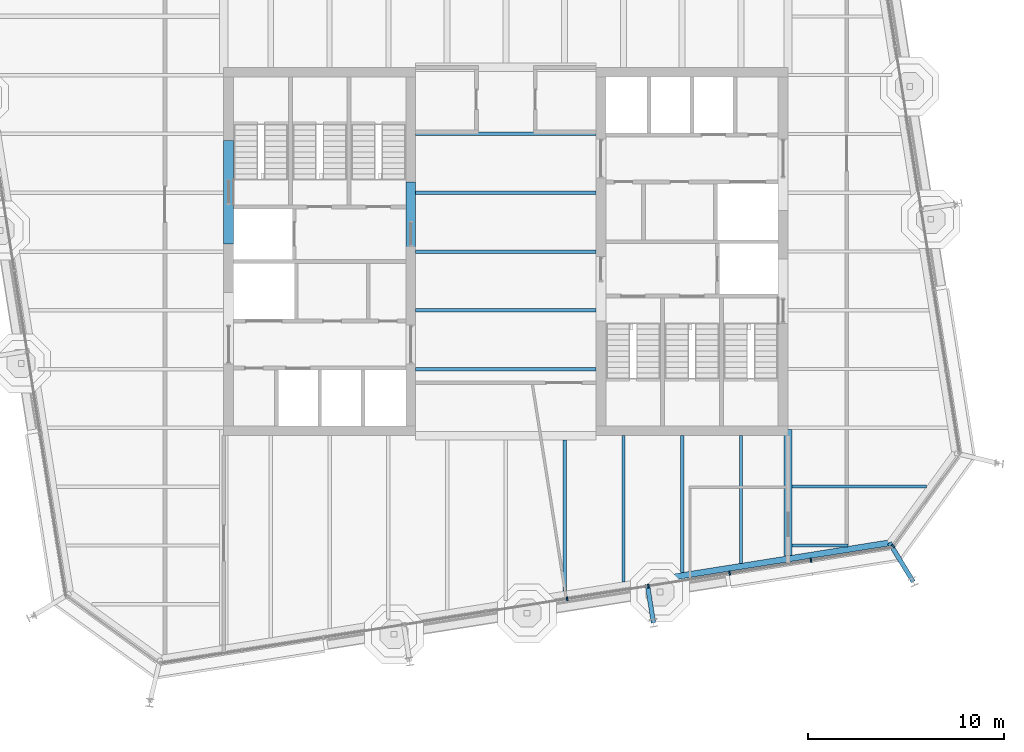
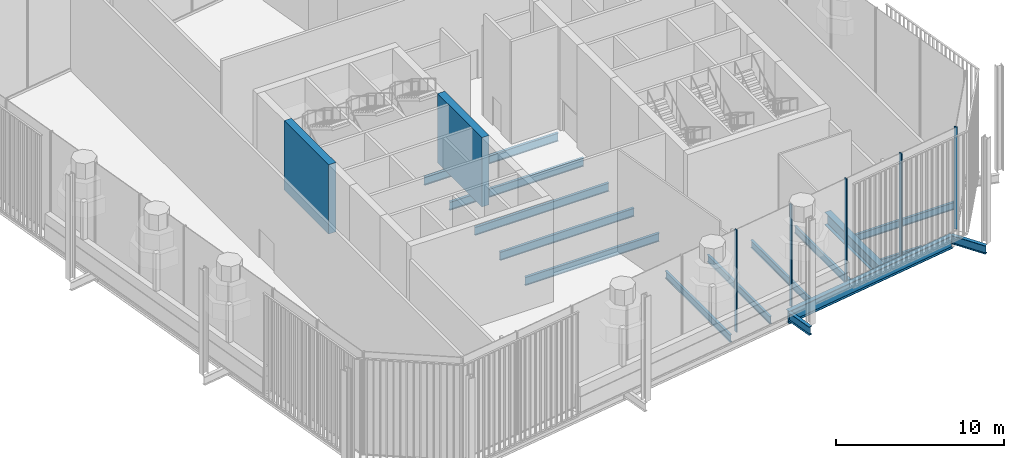
# One storey, part 5 of 17: 17 beams, 5 members, 2 elements without a shape of their own.
"""IFC4 building model written with IfcOpenShell, lengths in metres."""

from ifc_helpers import new_model, si_unit, direction, frame, origin, origin_2d, place, context, subcontext, project, spatial, rectangle, i_section, extrude, material, layer, layer_set, material_profile, profile_set, type_object, element, aggregate, save


model = new_model("IFC4")

# Units and contexts
model_context = context("Model", 3, precision=1e-05, world=origin(), true_north=direction((0.0, 1.0)))
body_context = subcontext(model_context, "Body", "Model", "MODEL_VIEW")
ifc_project = project(units=[si_unit("LENGTHUNIT", "METRE"), si_unit("AREAUNIT", "SQUARE_METRE"), si_unit("VOLUMEUNIT", "CUBIC_METRE"), si_unit("PLANEANGLEUNIT", "RADIAN"), si_unit("MASSUNIT", "GRAM", prefix="KILO")], contexts=[model_context])

# Site, building, storey
site_placement = place(None, origin())
site = spatial("IfcSite", under=ifc_project, at=site_placement, CompositionType="ELEMENT")
building_placement = place(site_placement, origin())
building = spatial("IfcBuilding", under=site, at=building_placement, Name="Millrace Tower", CompositionType="ELEMENT")
storey_placement = place(building_placement, frame((0.0, 0.0, 239.800048828125)))
storey = spatial("IfcBuildingStorey", under=building, at=storey_placement, Name="L55", CompositionType="ELEMENT", Elevation=239.800048828125)

# Curtain wall, members
ifc_material_1 = material(Name="Aluminium and glass", Category="aluminium")
ifc_layer = layer(ifc_material_1, 0.199951171875)
ifc_layer_set = layer_set([ifc_layer], Name="Aluminium and glass")
curtain_wall_type = type_object("IfcCurtainWallType", Name="CW-4 sky garden winter glazing", PredefinedType="NOTDEFINED", material=ifc_layer_set)
placement = place(storey_placement, origin())
curtain_wall_1 = element("IfcCurtainWall", 1, at=placement, inside=storey, type_object=curtain_wall_type, Name="Curtain wall D-F02 L55", PredefinedType="NOTDEFINED")
ifc_material_2 = material(Name="Aluminium", Category="aluminium")
ifc_material_profile_1 = material_profile(ifc_material_2, rectangle(XDim=0.080078125, YDim=0.199951171875, at=origin_2d()))
ifc_profile_set_1 = profile_set([ifc_material_profile_1], Name="Aluminium")
member_type = type_object("IfcMemberType", Name="CW-4 sky garden winter glazing mullion", PredefinedType="MULLION", material=ifc_profile_set_1)
member_1_placement = place(storey_placement, frame((3.127197265625, -17.730712890625, 0.179931640625), z_axis=(0.0, 0.0, 1.0), x_axis=(0.987688339511, 0.156434471884, 0.0)))
member_1 = element("IfcMember", 2, at=member_1_placement, type_object=member_type, Name="CW4 mullion D-F02.6", PredefinedType="MULLION", context=body_context, shape_type="SweptSolid", body=[
    extrude(rectangle(XDim=0.080078125, YDim=0.199951171875, at=origin_2d()), origin(), (0.0, 0.0, 1.0), 7.419921875),
])
member_2_placement = place(storey_placement, frame((7.275634765625, -17.07373046875, 0.179931640625), z_axis=(0.0, 0.0, 1.0), x_axis=(0.987688339511, 0.156434471884, 0.0)))
member_2 = element("IfcMember", 3, at=member_2_placement, type_object=member_type, Name="CW4 mullion D-F02.7", PredefinedType="MULLION", context=body_context, shape_type="SweptSolid", body=[
    extrude(rectangle(XDim=0.080078125, YDim=0.199951171875, at=origin_2d()), origin(), (0.0, 0.0, 1.0), 7.419921875),
])
member_3_placement = place(storey_placement, frame((11.423828125, -16.416748046875, 0.179931640625), z_axis=(0.0, 0.0, 1.0), x_axis=(0.987688339511, 0.156434471884, 0.0)))
member_3 = element("IfcMember", 4, at=member_3_placement, type_object=member_type, Name="CW4 mullion D-F02.8", PredefinedType="MULLION", context=body_context, shape_type="SweptSolid", body=[
    extrude(rectangle(XDim=0.080078125, YDim=0.199951171875, at=origin_2d()), origin(), (0.0, 0.0, 1.0), 7.419921875),
])
member_4_placement = place(storey_placement, frame((15.572265625, -15.759765625, 0.179931640625), z_axis=(0.0, 0.0, 1.0), x_axis=(0.987688339511, 0.156434471884, 0.0)))
member_4 = element("IfcMember", 5, at=member_4_placement, type_object=member_type, Name="CW4 mullion D-F02.9", PredefinedType="MULLION", context=body_context, shape_type="SweptSolid", body=[
    extrude(rectangle(XDim=0.080078125, YDim=0.199951171875, at=origin_2d()), origin(), (0.0, 0.0, 1.0), 7.419921875),
])
aggregate(curtain_wall_1, [member_1, member_2, member_3, member_4])

# Curtain wall, member
curtain_wall_2 = element("IfcCurtainWall", 6, at=placement, inside=storey, type_object=curtain_wall_type, Name="Curtain wall D-F03 L55", PredefinedType="NOTDEFINED")
member_5_placement = place(storey_placement, frame((19.769775390625, -15.03662109375, 0.179931640625), z_axis=(0.0, 0.0, 1.0), x_axis=(0.587785305991, 0.809016955361, 0.0)))
member_5 = element("IfcMember", 7, at=member_5_placement, type_object=member_type, Name="CW4 mullion D-F03.1", PredefinedType="MULLION", context=body_context, shape_type="SweptSolid", body=[
    extrude(rectangle(XDim=0.080078125, YDim=0.199951171875, at=origin_2d()), origin(), (0.0, 0.0, 1.0), 7.419921875),
])
aggregate(curtain_wall_2, [member_5])

# Beams
ifc_material_3 = material(Name="Concrete C60", Category="concrete")
ifc_material_profile_2 = material_profile(ifc_material_3, rectangle(XDim=0.5, YDim=5.0400390625, at=origin_2d()))
ifc_profile_set_2 = profile_set([ifc_material_profile_2], Name="Concrete C60")
beam_type_1 = type_object("IfcBeamType", Name="Coupling beam 500 x 5040 Concrete C60, 1300 opening", PredefinedType="BEAM", material=ifc_profile_set_2)
for number, where, z_axis, x_axis, name in (
    (8, (-14.14990234375, 0.384033203125, 4.919921875), (0.0, 1.0, 0.0), (-1.0, 0.0, 0.0), "Coupling beam W L55"),
    (9, (-4.85009765625, -1.74609375, 4.919921875), (0.0, 1.0, 0.0), (-1.0, 0.0, 0.0), "Coupling beam W L55"),
):
    element("IfcBeam", number, at=place(storey_placement, frame(where, z_axis=z_axis, x_axis=x_axis)), inside=storey, type_object=beam_type_1, Name=name, PredefinedType="BEAM", context=body_context, shape_type="SweptSolid", body=[
        extrude(rectangle(XDim=0.5, YDim=5.0400390625, at=origin_2d()), origin(), (0.0, 0.0, 1.0), 5.2919921875),
    ])
ifc_material_4 = material(Name="Steel ASTM A992 Grade 50", Category="steel")
ifc_material_profile_3 = material_profile(ifc_material_4, i_section(OverallWidth=0.15234375, OverallDepth=0.449462890625, WebThickness=0.007568359375, FlangeThickness=0.0107421875, FilletRadius=0.01025390625, at=origin_2d()))
ifc_profile_set_3 = profile_set([ifc_material_profile_3], Name="Steel ASTM A992 Grade 50")
beam_type_2 = type_object("IfcBeamType", Name="Floor beam W18x35", PredefinedType="JOIST", material=ifc_profile_set_3)
beam_1_placement = place(storey_placement, frame((14.609619140625, -15.0, -0.474853515625), z_axis=(1.0, 0.0, 0.0), x_axis=(0.0, 1.0, 0.0)))
element("IfcBeam", 10, at=beam_1_placement, inside=storey, type_object=beam_type_2, Name="BM-D-L55-S1-S003", PredefinedType="JOIST", context=body_context, shape_type="SweptSolid", body=[
    extrude(i_section(OverallWidth=0.15234375, OverallDepth=0.449462890625, WebThickness=0.007568359375, FlangeThickness=0.0107421875, FilletRadius=0.01025390625, at=origin_2d()), origin(), (0.0, 0.0, 1.0), 2.839599609375),
])
ifc_material_5 = material(Name="Steel ASTM A992 Grade 50", Category="steel")
ifc_material_profile_4 = material_profile(ifc_material_5, i_section(OverallWidth=0.1650390625, OverallDepth=0.52587890625, WebThickness=0.0087890625, FlangeThickness=0.011474609375, FilletRadius=0.0126953125, at=origin_2d()))
ifc_profile_set_4 = profile_set([ifc_material_profile_4], Name="Steel ASTM A992 Grade 50")
beam_type_3 = type_object("IfcBeamType", Name="Floor beam W21x44", PredefinedType="JOIST", material=ifc_profile_set_4)
beam_2_placement = place(storey_placement, frame((14.609619140625, -12.0, -0.512939453125), z_axis=(1.0, 0.0, 0.0), x_axis=(0.0, 1.0, 0.0)))
element("IfcBeam", 11, at=beam_2_placement, inside=storey, type_object=beam_type_3, Name="BM-D-L55-S1-S005", PredefinedType="JOIST", context=body_context, shape_type="SweptSolid", body=[
    extrude(i_section(OverallWidth=0.1650390625, OverallDepth=0.52587890625, WebThickness=0.0087890625, FlangeThickness=0.011474609375, FilletRadius=0.0126953125, at=origin_2d()), origin(), (0.0, 0.0, 1.0), 6.86279296875),
])
beam_3_placement = place(storey_placement, frame((3.0, -17.338623046875, -0.512939453125), z_axis=(0.0, 1.0, 0.0), x_axis=(-1.0, 0.0, 0.0)))
element("IfcBeam", 12, at=beam_3_placement, inside=storey, type_object=beam_type_3, Name="BM-D-L55-S1-S047", PredefinedType="JOIST", context=body_context, shape_type="SweptSolid", body=[
    extrude(i_section(OverallWidth=0.1650390625, OverallDepth=0.52587890625, WebThickness=0.0087890625, FlangeThickness=0.011474609375, FilletRadius=0.0126953125, at=origin_2d()), origin(), (0.0, 0.0, 1.0), 7.72900390625),
])
beam_4_placement = place(storey_placement, frame((6.0, -16.863525390625, -0.512939453125), z_axis=(0.0, 1.0, 0.0), x_axis=(-1.0, 0.0, 0.0)))
element("IfcBeam", 13, at=beam_4_placement, inside=storey, type_object=beam_type_3, Name="BM-D-L55-S1-S049", PredefinedType="JOIST", context=body_context, shape_type="SweptSolid", body=[
    extrude(i_section(OverallWidth=0.1650390625, OverallDepth=0.52587890625, WebThickness=0.0087890625, FlangeThickness=0.011474609375, FilletRadius=0.0126953125, at=origin_2d()), origin(), (0.0, 0.0, 1.0), 7.463623046875),
])
beam_5_placement = place(storey_placement, frame((9.0, -16.38818359375, -0.512939453125), z_axis=(0.0, 1.0, 0.0), x_axis=(-1.0, 0.0, 0.0)))
element("IfcBeam", 14, at=beam_5_placement, inside=storey, type_object=beam_type_3, Name="BM-D-L55-S1-S051", PredefinedType="JOIST", context=body_context, shape_type="SweptSolid", body=[
    extrude(i_section(OverallWidth=0.1650390625, OverallDepth=0.52587890625, WebThickness=0.0087890625, FlangeThickness=0.011474609375, FilletRadius=0.0126953125, at=origin_2d()), origin(), (0.0, 0.0, 1.0), 6.98828125),
])
beam_6_placement = place(storey_placement, frame((12.0, -15.9130859375, -0.512939453125), z_axis=(0.0, 1.0, 0.0), x_axis=(-1.0, 0.0, 0.0)))
element("IfcBeam", 15, at=beam_6_placement, inside=storey, type_object=beam_type_3, Name="BM-D-L55-S1-S053", PredefinedType="JOIST", context=body_context, shape_type="SweptSolid", body=[
    extrude(i_section(OverallWidth=0.1650390625, OverallDepth=0.52587890625, WebThickness=0.0087890625, FlangeThickness=0.011474609375, FilletRadius=0.0126953125, at=origin_2d()), origin(), (0.0, 0.0, 1.0), 6.51318359375),
])
ifc_material_6 = material(Name="Steel ASTM A992 Grade 50", Category="steel")
ifc_material_profile_5 = material_profile(ifc_material_6, i_section(OverallWidth=0.177978515625, OverallDepth=0.599365234375, WebThickness=0.010009765625, FlangeThickness=0.012939453125, FilletRadius=0.012939453125, at=origin_2d()))
ifc_profile_set_5 = profile_set([ifc_material_profile_5], Name="Steel ASTM A992 Grade 50")
beam_type_4 = type_object("IfcBeamType", Name="Floor beam W24x55", PredefinedType="JOIST", material=ifc_profile_set_5)
for number, where, z_axis, x_axis, name in (
    (16, (-4.60009765625, -6.0, -0.5498046875), (1.0, 0.0, 0.0), (0.0, 1.0, 0.0), "BM-D-L55-S1-S008"),
    (17, (-4.60009765625, -3.0, -0.5498046875), (1.0, 0.0, 0.0), (0.0, 1.0, 0.0), "BM-D-L55-S1-S011"),
    (18, (-4.60009765625, 0.0, -0.5498046875), (1.0, 0.0, 0.0), (0.0, 1.0, 0.0), "BM-D-L55-S1-S014"),
    (19, (-4.60009765625, 3.0, -0.5498046875), (1.0, 0.0, 0.0), (0.0, 1.0, 0.0), "BM-D-L55-S1-S017"),
    (20, (-4.60009765625, 6.0, -0.5498046875), (1.0, 0.0, 0.0), (0.0, 1.0, 0.0), "BM-D-L55-S1-S020"),
):
    element("IfcBeam", number, at=place(storey_placement, frame(where, z_axis=z_axis, x_axis=x_axis)), inside=storey, type_object=beam_type_4, Name=name, PredefinedType="JOIST", context=body_context, shape_type="SweptSolid", body=[
        extrude(i_section(OverallWidth=0.177978515625, OverallDepth=0.599365234375, WebThickness=0.010009765625, FlangeThickness=0.012939453125, FilletRadius=0.012939453125, at=origin_2d()), origin(), (0.0, 0.0, 1.0), 9.2001953125),
    ])
ifc_material_7 = material(Name="Steel ASTM A992 Grade 50", Category="steel")
ifc_material_profile_6 = material_profile(ifc_material_7, i_section(OverallWidth=0.419189453125, OverallDepth=0.927001953125, WebThickness=0.019287109375, FlangeThickness=0.031982421875, FilletRadius=0.024169921875, at=origin_2d()))
ifc_profile_set_6 = profile_set([ifc_material_profile_6], Name="Steel ASTM A992 Grade 50")
beam_type_5 = type_object("IfcBeamType", Name="Girder short span W36x231", PredefinedType="BEAM", material=ifc_profile_set_6)
beam_7_placement = place(storey_placement, frame((14.39990234375, -15.52490234375, -0.713623046875), z_axis=(0.0, 1.0, 0.0), x_axis=(-1.0, 0.0, 0.0)))
element("IfcBeam", 21, at=beam_7_placement, inside=storey, type_object=beam_type_5, Name="BM-D-L55-S1-G057", PredefinedType="BEAM", context=body_context, shape_type="SweptSolid", body=[
    extrude(i_section(OverallWidth=0.419189453125, OverallDepth=0.927001953125, WebThickness=0.019287109375, FlangeThickness=0.031982421875, FilletRadius=0.024169921875, at=origin_2d()), origin(), (0.0, 0.0, 1.0), 6.432861328125),
])
ifc_material_8 = material(Name="Steel ASTM A992 Grade 50", Category="steel")
ifc_material_profile_7 = material_profile(ifc_material_8, i_section(OverallWidth=0.23046875, OverallDepth=0.6171875, WebThickness=0.01318359375, FlangeThickness=0.022216796875, FilletRadius=0.012939453125, at=origin_2d()))
ifc_profile_set_7 = profile_set([ifc_material_profile_7], Name="Steel ASTM A992 Grade 50")
beam_type_6 = type_object("IfcBeamType", Name="Link beam W24x94", PredefinedType="BEAM", material=ifc_profile_set_7)
beam_8_placement = place(storey_placement, frame((19.578369140625, -14.868408203125, -0.55859375), z_axis=(0.522512938711, -0.852631355792, 0.0), x_axis=(0.852631355792, 0.522512938711, 0.0)))
element("IfcBeam", 22, at=beam_8_placement, inside=storey, type_object=beam_type_6, Name="LNK-D-L55-S1-13", PredefinedType="BEAM", context=body_context, shape_type="SweptSolid", body=[
    extrude(i_section(OverallWidth=0.23046875, OverallDepth=0.6171875, WebThickness=0.01318359375, FlangeThickness=0.022216796875, FilletRadius=0.012939453125, at=origin_2d()), origin(), (0.0, 0.0, 1.0), 2.3310546875),
])
beam_9_placement = place(storey_placement, frame((7.220458984375, -16.981201171875, -0.55859375), z_axis=(0.156357438014, -0.987700537399, 0.0), x_axis=(0.987700537399, 0.156357438014, 0.0)))
element("IfcBeam", 23, at=beam_9_placement, inside=storey, type_object=beam_type_6, Name="LNK-D-L55-S1-14", PredefinedType="BEAM", context=body_context, shape_type="SweptSolid", body=[
    extrude(i_section(OverallWidth=0.23046875, OverallDepth=0.6171875, WebThickness=0.01318359375, FlangeThickness=0.022216796875, FilletRadius=0.012939453125, at=origin_2d()), origin(), (0.0, 0.0, 1.0), 2.000244140625),
])
ifc_material_9 = material(Name="Steel ASTM A992 Grade 50", Category="steel")
ifc_material_profile_8 = material_profile(ifc_material_9, i_section(OverallWidth=0.307373046875, OverallDepth=0.927001953125, WebThickness=0.01953125, FlangeThickness=0.031982421875, FilletRadius=0.01904296875, at=origin_2d()))
ifc_profile_set_8 = profile_set([ifc_material_profile_8], Name="Steel ASTM A992 Grade 50")
beam_type_7 = type_object("IfcBeamType", Name="Ring beam medium span W36x194", PredefinedType="SPANDREL", material=ifc_profile_set_8)
beam_10_placement = place(storey_placement, frame((19.578369140625, -14.868408203125, -0.713623046875), z_axis=(-0.987687689625, -0.156438575049, 0.0), x_axis=(0.156438575049, -0.987687689625, 0.0)))
element("IfcBeam", 24, at=beam_10_placement, inside=storey, type_object=beam_type_7, Name="RNG-D-L55-S1-13", PredefinedType="SPANDREL", context=body_context, shape_type="SweptSolid", body=[
    extrude(i_section(OverallWidth=0.307373046875, OverallDepth=0.927001953125, WebThickness=0.01953125, FlangeThickness=0.031982421875, FilletRadius=0.01904296875, at=origin_2d()), origin(), (0.0, 0.0, 1.0), 12.536376953125),
])

save(model, "model.ifc")
